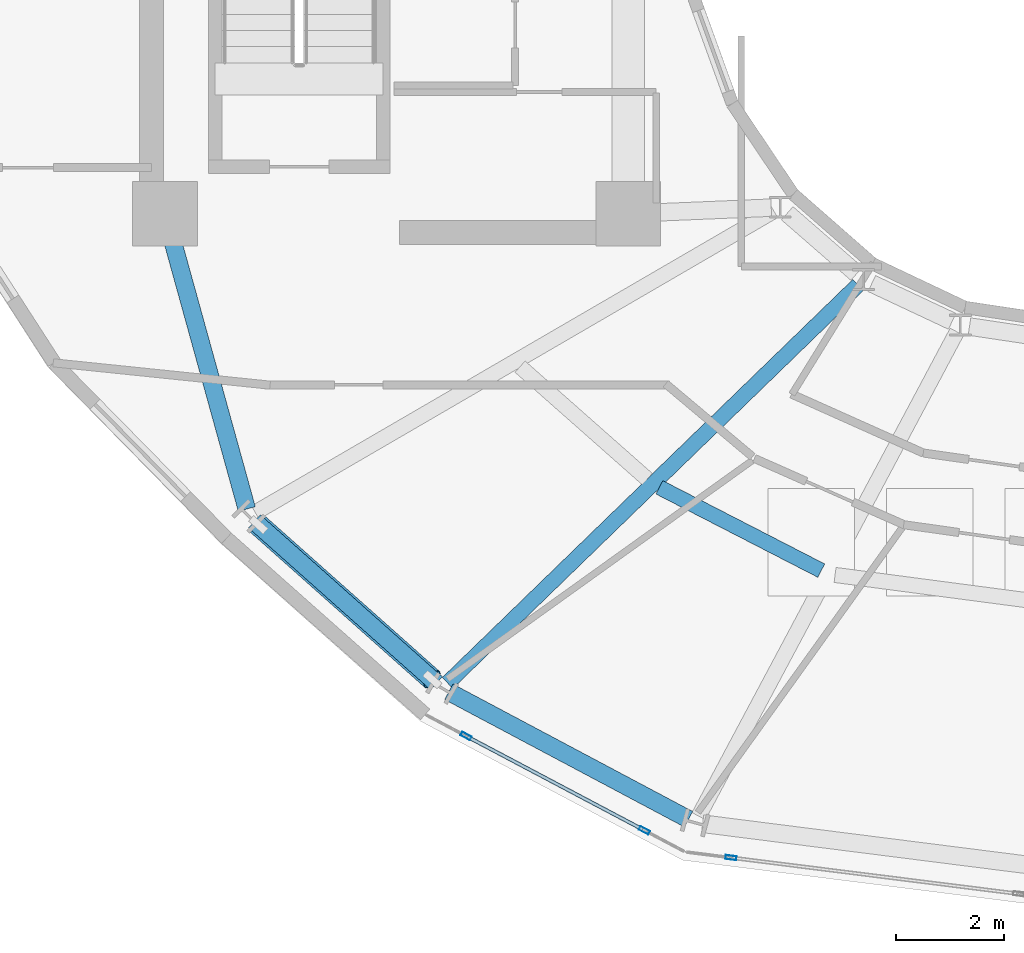
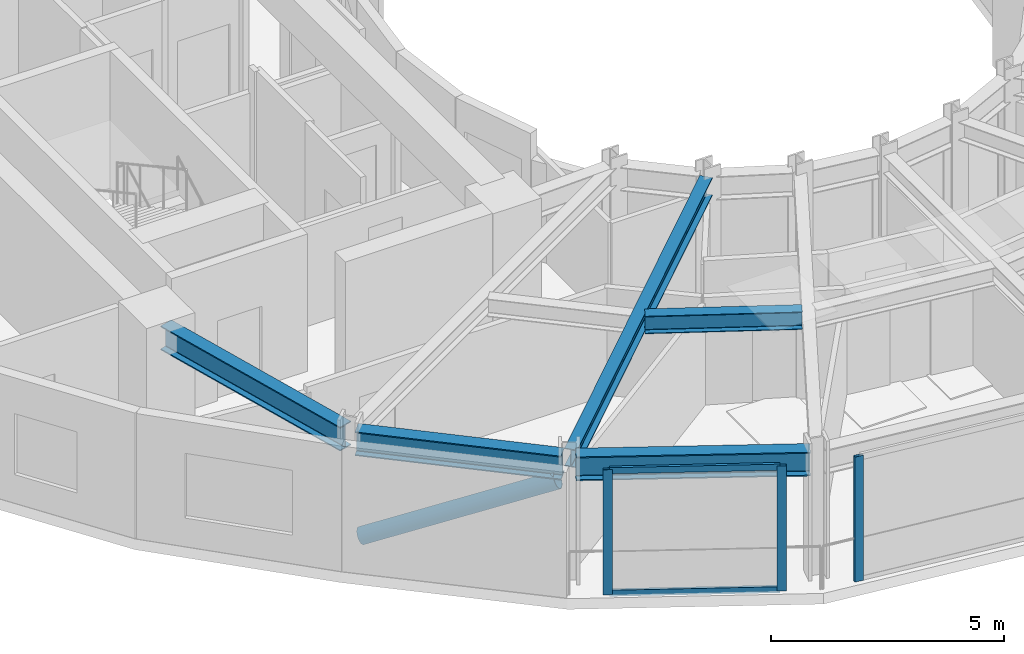
# One storey, part 2 of 19: 6 members, 5 beams, 2 elements without a shape of their own.
"""IFC4 building model written with IfcOpenShell, lengths in metres."""

from ifc_helpers import new_model, si_unit, direction, frame, origin, origin_2d, place, context, subcontext, project, spatial, hollow_rectangle, hollow_circle, i_section, extrude, material, layer, layer_set, material_profile, profile_set, type_object, element, aggregate, save


model = new_model("IFC4")

# Units and contexts
model_context = context("Model", 3, precision=1e-05, world=origin(), true_north=direction((0.0, 1.0)))
body_context = subcontext(model_context, "Body", "Model", "MODEL_VIEW")
ifc_project = project(units=[si_unit("LENGTHUNIT", "METRE"), si_unit("AREAUNIT", "SQUARE_METRE"), si_unit("VOLUMEUNIT", "CUBIC_METRE"), si_unit("PLANEANGLEUNIT", "RADIAN"), si_unit("MASSUNIT", "GRAM", prefix="KILO")], contexts=[model_context])

# Site, building, storey
site_placement = place(None, origin())
site = spatial("IfcSite", under=ifc_project, at=site_placement, CompositionType="ELEMENT")
building_placement = place(site_placement, origin())
building = spatial("IfcBuilding", under=site, at=building_placement, Name="Solvane Sanctuary Tower", CompositionType="ELEMENT")
storey_placement = place(building_placement, frame((0.0, 0.0, 249.60009765625)))
storey = spatial("IfcBuildingStorey", under=building, at=storey_placement, Name="L76", CompositionType="ELEMENT", Elevation=249.60009765625)

# Beams
ifc_material_1 = material(Name="Steel ASTM A992 Grade 50", Category="steel")
ifc_material_profile_1 = material_profile(ifc_material_1, i_section(OverallWidth=0.282958984375, OverallDepth=0.471923828125, WebThickness=0.013671875, FlangeThickness=0.022216796875, FilletRadius=0.013916015625, at=origin_2d()), Name="W18X97")
ifc_profile_set_1 = profile_set([ifc_material_profile_1], Name="Steel ASTM A992 Grade 50")
beam_type_1 = type_object("IfcBeamType", Name="Beam B-RAD-Z4 W18X97", PredefinedType="JOIST", material=ifc_profile_set_1)
beam_1_placement = place(storey_placement, frame((28.16943359375, 15.575927734375, 3.081787109375), z_axis=(-0.71793137972, -0.696113880061, 0.0), x_axis=(0.696113880061, -0.71793137972, 0.0)))
element("IfcBeam", 1, at=beam_1_placement, inside=storey, type_object=beam_type_1, Name="L76 Radial Composite Floor Beam 09", PredefinedType="JOIST", context=body_context, shape_type="SweptSolid", body=[
    extrude(i_section(OverallWidth=0.282958984375, OverallDepth=0.471923828125, WebThickness=0.013671875, FlangeThickness=0.022216796875, FilletRadius=0.013916015625, at=origin_2d()), origin(), (0.0, 0.0, 1.0), 10.619384765625),
])
ifc_material_profile_2 = material_profile(ifc_material_1, i_section(OverallWidth=0.280029296875, OverallDepth=0.462890625, WebThickness=0.0107421875, FlangeThickness=0.017333984375, FilletRadius=0.013916015625, at=origin_2d()), Name="W18X76")
ifc_profile_set_2 = profile_set([ifc_material_profile_2], Name="Steel ASTM A992 Grade 50")
beam_type_2 = type_object("IfcBeamType", Name="Beam B-SEC-JOIST W18X76", PredefinedType="JOIST", material=ifc_profile_set_2)
beam_2_placement = place(storey_placement, frame((24.47900390625, 11.8173828125, 3.08642578125), z_axis=(0.88924080122, -0.4574393921, 0.0), x_axis=(0.4574393921, 0.88924080122, 0.0)))
element("IfcBeam", 2, at=beam_2_placement, inside=storey, type_object=beam_type_2, Name="L76 Secondary Circumferential Joist 09-10", PredefinedType="JOIST", context=body_context, shape_type="SweptSolid", body=[
    extrude(i_section(OverallWidth=0.280029296875, OverallDepth=0.462890625, WebThickness=0.0107421875, FlangeThickness=0.017333984375, FilletRadius=0.013916015625, at=origin_2d()), origin(), (0.0, 0.0, 1.0), 3.380615234375),
])
ifc_material_profile_3 = material_profile(ifc_material_1, i_section(OverallWidth=0.327880859375, OverallDepth=0.6279296875, WebThickness=0.0166015625, FlangeThickness=0.027587890625, FilletRadius=0.01611328125, at=origin_2d()), Name="W24X146")
ifc_profile_set_3 = profile_set([ifc_material_profile_3], Name="Steel ASTM A992 Grade 50")
beam_type_3 = type_object("IfcBeamType", Name="Beam B-SPAND-Z3 W24X146", PredefinedType="SPANDREL", material=ifc_profile_set_3)
beam_3_placement = place(storey_placement, frame((15.374755859375, 16.630126953125, 3.00390625), z_axis=(0.266650248701, -0.963793362121, 0.0), x_axis=(0.963793362121, 0.266650248701, 0.0)))
element("IfcBeam", 3, at=beam_3_placement, inside=storey, type_object=beam_type_3, Name="L76 Perimeter Spandrel Beam CW1-TC08", PredefinedType="SPANDREL", context=body_context, shape_type="SweptSolid", body=[
    extrude(i_section(OverallWidth=0.327880859375, OverallDepth=0.6279296875, WebThickness=0.0166015625, FlangeThickness=0.027587890625, FilletRadius=0.01611328125, at=origin_2d()), origin(), (0.0, 0.0, 1.0), 5.412109375),
])
beam_4_placement = place(storey_placement, frame((16.959716796875, 11.18603515625, 3.00390625), z_axis=(0.747206834793, -0.664591563322, 0.0), x_axis=(0.664591563322, 0.747206834793, 0.0)))
element("IfcBeam", 4, at=beam_4_placement, inside=storey, type_object=beam_type_3, Name="L76 Perimeter Spandrel Beam TC08-TC09", PredefinedType="SPANDREL", context=body_context, shape_type="SweptSolid", body=[
    extrude(i_section(OverallWidth=0.327880859375, OverallDepth=0.6279296875, WebThickness=0.0166015625, FlangeThickness=0.027587890625, FilletRadius=0.01611328125, at=origin_2d()), origin(), (0.0, 0.0, 1.0), 4.5244140625),
])
beam_5_placement = place(storey_placement, frame((20.568603515625, 8.0205078125, 3.00390625), z_axis=(0.883011615456, -0.469351133981, 0.0), x_axis=(0.469351133981, 0.883011615456, 0.0)))
element("IfcBeam", 5, at=beam_5_placement, inside=storey, type_object=beam_type_3, Name="L76 Perimeter Spandrel Beam TC09-TC10", PredefinedType="SPANDREL", context=body_context, shape_type="SweptSolid", body=[
    extrude(i_section(OverallWidth=0.327880859375, OverallDepth=0.6279296875, WebThickness=0.0166015625, FlangeThickness=0.027587890625, FilletRadius=0.01611328125, at=origin_2d()), origin(), (0.0, 0.0, 1.0), 5.04150390625),
])

# Curtain wall, members
ifc_material_2 = material(Name="Anodised Aluminium 6063-T6", Category="aluminium")
ifc_layer = layer(ifc_material_2, 0.18994140625, Name="Anodised Aluminium 6063-T6")
ifc_layer_set = layer_set([ifc_layer], Name="Anodised Aluminium 6063-T6")
curtain_wall_type = type_object("IfcCurtainWallType", Name="Curtain Wall CW-OPER", PredefinedType="NOTDEFINED", material=ifc_layer_set)
curtain_wall_1_placement = place(storey_placement, origin())
curtain_wall_1 = element("IfcCurtainWall", 6, at=curtain_wall_1_placement, inside=storey, type_object=curtain_wall_type, Name="L76 CW-OPER Facade Run 16", PredefinedType="NOTDEFINED")
ifc_material_profile_4 = material_profile(ifc_material_2, hollow_rectangle(XDim=0.074951171875, YDim=0.199951171875, WallThickness=0.00390625, at=origin_2d()), Name="ALU200X75X4")
ifc_profile_set_4 = profile_set([ifc_material_profile_4], Name="Anodised Aluminium 6063-T6")
member_type_1 = type_object("IfcMemberType", Name="Member M-CW-MUL-1 ALU200X75X4", PredefinedType="MULLION", material=ifc_profile_set_4)
member_1_placement = place(storey_placement, frame((20.887939453125, 7.199951171875, 0.0), z_axis=(0.0, 0.0, 1.0), x_axis=(0.467523293544, 0.883980752049, 0.0)))
member_1 = element("IfcMember", 7, at=member_1_placement, type_object=member_type_1, Name="CW-OPER mullion 1", PredefinedType="MULLION", context=body_context, shape_type="SweptSolid", body=[
    extrude(hollow_rectangle(XDim=0.074951171875, YDim=0.199951171875, WallThickness=0.00390625, at=origin_2d()), origin(), (0.0, 0.0, 1.0), 3.27978515625),
])
member_2_placement = place(storey_placement, frame((24.198974609375, 5.448974609375, 0.0), z_axis=(0.0, 0.0, 1.0), x_axis=(0.467523293544, 0.883980752049, 0.0)))
member_2 = element("IfcMember", 8, at=member_2_placement, type_object=member_type_1, Name="CW-OPER mullion 2", PredefinedType="MULLION", context=body_context, shape_type="SweptSolid", body=[
    extrude(hollow_rectangle(XDim=0.074951171875, YDim=0.199951171875, WallThickness=0.00390625, at=origin_2d()), origin(), (0.0, 0.0, 1.0), 3.27978515625),
])

# Curtain wall, member
curtain_wall_2_placement = place(storey_placement, origin())
curtain_wall_2 = element("IfcCurtainWall", 9, at=curtain_wall_2_placement, inside=storey, type_object=curtain_wall_type, Name="L76 CW-OPER Facade Run 17", PredefinedType="NOTDEFINED")
member_3_placement = place(storey_placement, frame((25.807861328125, 4.941162109375, 0.0), z_axis=(0.0, 0.0, 1.0), x_axis=(0.124814850727, 0.992180050716, 0.0)))
member_3 = element("IfcMember", 10, at=member_3_placement, type_object=member_type_1, Name="CW-OPER mullion 1", PredefinedType="MULLION", context=body_context, shape_type="SweptSolid", body=[
    extrude(hollow_rectangle(XDim=0.074951171875, YDim=0.199951171875, WallThickness=0.00390625, at=origin_2d()), origin(), (0.0, 0.0, 1.0), 3.27978515625),
])
aggregate(curtain_wall_2, [member_3])

# Member
ifc_material_profile_5 = material_profile(ifc_material_2, hollow_rectangle(XDim=0.06494140625, YDim=0.159912109375, WallThickness=0.00341796875, at=origin_2d()), Name="ALU160X65X3.5")
ifc_profile_set_5 = profile_set([ifc_material_profile_5], Name="Anodised Aluminium 6063-T6")
member_type_2 = type_object("IfcMemberType", Name="Member M-CW-TRN-1 ALU160X65X3.5", PredefinedType="USERDEFINED", material=ifc_profile_set_5)
member_4_placement = place(storey_placement, frame((20.921142578125, 7.1826171875, 0.032470703125), z_axis=(0.883977140568, -0.467530121975, 0.0), x_axis=(0.467530121975, 0.883977140568, 0.0)))
member_4 = element("IfcMember", 11, at=member_4_placement, type_object=member_type_2, Name="CW-OPER transom 1.1", ObjectType="TRANSOM", PredefinedType="USERDEFINED", context=body_context, shape_type="SweptSolid", body=[
    extrude(hollow_rectangle(XDim=0.06494140625, YDim=0.159912109375, WallThickness=0.00341796875, at=origin_2d()), origin(), (0.0, 0.0, 1.0), 3.67041015625),
])

member_5_placement = place(storey_placement, frame((20.921142578125, 7.1826171875, 3.247314453125), z_axis=(0.883977140568, -0.467530121975, 0.0), x_axis=(0.467530121975, 0.883977140568, 0.0)))
member_5 = element("IfcMember", 12, at=member_5_placement, type_object=member_type_2, Name="CW-OPER transom 1.2", ObjectType="TRANSOM", PredefinedType="USERDEFINED", context=body_context, shape_type="SweptSolid", body=[
    extrude(hollow_rectangle(XDim=0.06494140625, YDim=0.159912109375, WallThickness=0.00341796875, at=origin_2d()), origin(), (0.0, 0.0, 1.0), 3.67041015625),
])

aggregate(curtain_wall_1, [member_1, member_2, member_4, member_5])

ifc_material_profile_6 = material_profile(ifc_material_1, hollow_circle(Radius=0.202880859375, WallThickness=0.012451171875, at=origin_2d()), Name="CHS406X12.5")
ifc_profile_set_6 = profile_set([ifc_material_profile_6], Name="Steel ASTM A992 Grade 50")
member_type_3 = type_object("IfcMemberType", Name="Member M-TUBE-Z3 CHS406X12.5", PredefinedType="BRACE", material=ifc_profile_set_6)
member_6_placement = place(storey_placement, frame((17.035888671875, 11.118408203125, 0.49609375), z_axis=(0.673397052397, -0.598966005648, 0.433331436549), x_axis=(0.664606066876, 0.747193934579, 0.0)))
element("IfcMember", 13, at=member_6_placement, inside=storey, type_object=member_type_3, Name="L76 Perimeter Braced-Tube Diagonal SW", PredefinedType="BRACE", context=body_context, shape_type="SweptSolid", body=[
    extrude(hollow_circle(Radius=0.202880859375, WallThickness=0.012451171875, at=origin_2d()), origin(), (0.0, 0.0, 1.0), 4.788818359375),
])

save(model, "model.ifc")
